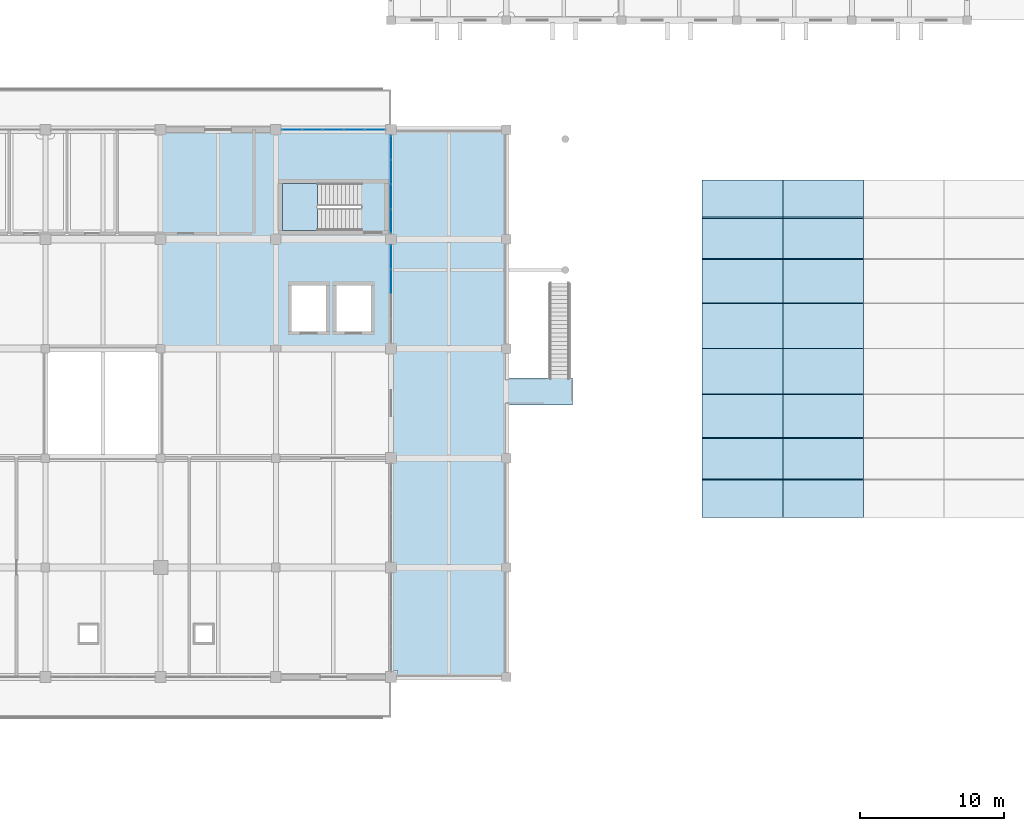
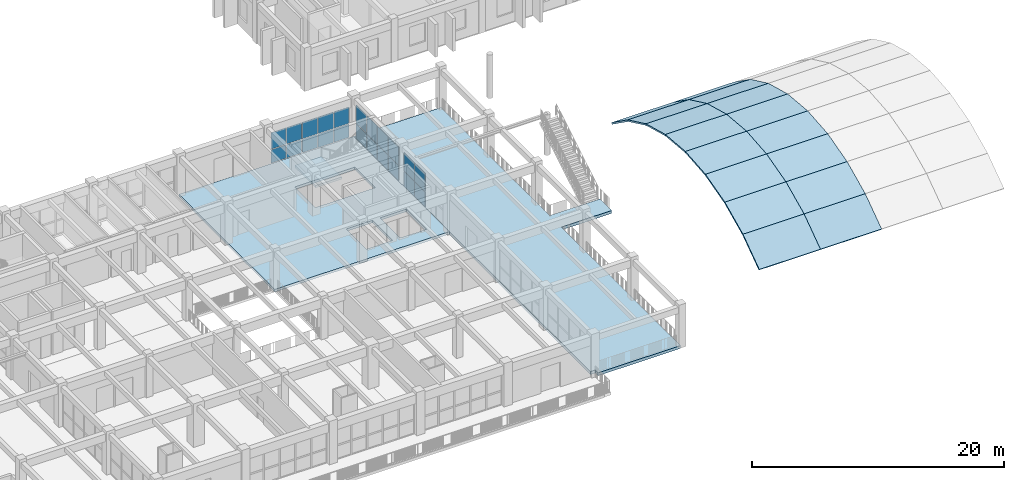
# One storey, part 34 of 63: 22 plates, 19 slabs, 5 elements without a shape of their own.
"""IFC4 building model written with IfcOpenShell, lengths in metres."""

from ifc_helpers import new_model, si_unit, direction, frame, origin, origin_2d, place, context, subcontext, project, spatial, polyline, rectangle, outline, extrude, material, layer, layer_set, type_object, element, aggregate, save


model = new_model("IFC4")

# Units and contexts
model_context = context("Model", 3, precision=1e-05, world=origin(), true_north=direction((0.0, 1.0)))
body_context = subcontext(model_context, "Body", "Model", "MODEL_VIEW")
ifc_project = project(units=[si_unit("LENGTHUNIT", "METRE"), si_unit("AREAUNIT", "SQUARE_METRE"), si_unit("VOLUMEUNIT", "CUBIC_METRE"), si_unit("PLANEANGLEUNIT", "RADIAN"), si_unit("MASSUNIT", "GRAM", prefix="KILO")], contexts=[model_context])

# Site, building, storey
site_placement = place(None, origin())
site = spatial("IfcSite", under=ifc_project, at=site_placement, CompositionType="ELEMENT")
building_placement = place(site_placement, origin())
building = spatial("IfcBuilding", under=site, at=building_placement, Name="Zantavel Square City Hall", CompositionType="ELEMENT")
storey_placement = place(building_placement, frame((0.0, 0.0, 14.699951171875)))
storey = spatial("IfcBuildingStorey", under=building, at=storey_placement, Name="L04", CompositionType="ELEMENT", Elevation=14.699951171875)

# Roof, slabs
ifc_material_1 = material(Name="Steel ASTM A992 Grade 50", Category="steel")
roof_type = type_object("IfcRoofType", Name="Courtyard Winter-Garden Barrel Skylight Roof", PredefinedType="BARREL_ROOF", material=ifc_material_1)
roof_placement = place(storey_placement, origin())
roof = element("IfcRoof", 1, at=roof_placement, inside=storey, type_object=roof_type, Name="East Citizen Courtyard Winter-Garden Skylight", PredefinedType="BARREL_ROOF")
ifc_material_2 = material(Name="Tempered safety glass low-E double glazing", Category="glass")
ifc_layer_1 = layer(ifc_material_2, 0.14990234375, Name="Tempered safety glass low-E double glazing")
ifc_layer_set_1 = layer_set([ifc_layer_1], Name="Tempered safety glass low-E double glazing")
slab_type_1 = type_object("IfcSlabType", Name="Barrel Vault Glazed Roof Facet 150mm", PredefinedType="ROOF", material=ifc_layer_set_1)
slab_1_placement = place(storey_placement, frame((125.60009765625, 41.4755859375, -4.119384765625), z_axis=(0.0, -0.579148154814, 0.815222310033), x_axis=(1.0, 0.0, 0.0)))
slab_1 = element("IfcSlab", 2, at=slab_1_placement, type_object=slab_type_1, Name="East Courtyard Skylight Facet B1-1", PredefinedType="ROOF", context=body_context, shape_type="SweptSolid", body=[
    extrude(outline(polyline([(0.0, 0.0), (5.599853515625, 0.0), (5.599853515625, 3.1852411980677644), (0.0, 3.1852411980677644), (0.0, 0.0)])), origin(), (0.0, 0.0, -1.0), 0.14990234375),
])
slab_2_placement = place(storey_placement, frame((125.60009765625, 44.072265625, -2.274658203125), z_axis=(0.0, -0.427114226835, 0.904197675973), x_axis=(1.0, 0.0, 0.0)))
slab_2 = element("IfcSlab", 3, at=slab_2_placement, type_object=slab_type_1, Name="East Courtyard Skylight Facet B1-2", PredefinedType="ROOF", context=body_context, shape_type="SweptSolid", body=[
    extrude(outline(polyline([(0.0, 0.0), (5.599853515625, 0.0), (5.599853515625, 3.18555463068408), (0.0, 3.18555463068408), (0.0, 0.0)])), origin(), (0.0, 0.0, -1.0), 0.14990234375),
])
slab_3_placement = place(storey_placement, frame((125.60009765625, 46.95263671875, -0.9140625), z_axis=(0.0, -0.261657947041, 0.965160669915), x_axis=(1.0, 0.0, 0.0)))
slab_3 = element("IfcSlab", 4, at=slab_3_placement, type_object=slab_type_1, Name="East Courtyard Skylight Facet B1-3", PredefinedType="ROOF", context=body_context, shape_type="SweptSolid", body=[
    extrude(outline(polyline([(0.0, 0.0), (5.599853515625, 0.0), (5.599853515625, 3.1854415399009826), (0.0, 3.1854415399009826), (0.0, 0.0)])), origin(), (0.0, 0.0, -1.0), 0.14990234375),
])
slab_4_placement = place(storey_placement, frame((125.60009765625, 50.027099609375, -0.08056640625), z_axis=(0.0, -0.088068289541, 0.996114439398), x_axis=(1.0, 0.0, 0.0)))
slab_4 = element("IfcSlab", 5, at=slab_4_placement, type_object=slab_type_1, Name="East Courtyard Skylight Facet B1-4", PredefinedType="ROOF", context=body_context, shape_type="SweptSolid", body=[
    extrude(outline(polyline([(0.0, 0.0), (5.599853515625, 0.0), (5.599853515625, 3.185227958764617), (0.0, 3.185227958764617), (0.0, 0.0)])), origin(), (0.0, 0.0, -1.0), 0.14990234375),
])
slab_5_placement = place(storey_placement, frame((125.60009765625, 53.199951171875, 0.199951171875), z_axis=(0.0, 0.088061566042, 0.996115033812), x_axis=(1.0, 0.0, 0.0)))
slab_5 = element("IfcSlab", 6, at=slab_5_placement, type_object=slab_type_1, Name="East Courtyard Skylight Facet B1-5", PredefinedType="ROOF", context=body_context, shape_type="SweptSolid", body=[
    extrude(outline(polyline([(0.0, 0.0), (5.599853515625, 0.0), (5.599853515625, 3.185471150838986), (0.0, 3.185471150838986), (0.0, 0.0)])), origin(), (0.0, 0.0, -1.0), 0.14990234375),
])
slab_6_placement = place(storey_placement, frame((125.60009765625, 56.373046875, -0.08056640625), z_axis=(0.0, 0.261657947041, 0.965160669915), x_axis=(1.0, 0.0, 0.0)))
slab_6 = element("IfcSlab", 7, at=slab_6_placement, type_object=slab_type_1, Name="East Courtyard Skylight Facet B1-6", PredefinedType="ROOF", context=body_context, shape_type="SweptSolid", body=[
    extrude(outline(polyline([(0.0, 0.0), (5.599853515625, 0.0), (5.599853515625, 3.1854415399009826), (0.0, 3.1854415399009826), (0.0, 0.0)])), origin(), (0.0, 0.0, -1.0), 0.14990234375),
])
slab_7_placement = place(storey_placement, frame((125.60009765625, 59.447509765625, -0.9140625), z_axis=(0.0, 0.427143826661, 0.904183693364), x_axis=(1.0, 0.0, 0.0)))
slab_7 = element("IfcSlab", 8, at=slab_7_placement, type_object=slab_type_1, Name="East Courtyard Skylight Facet B1-7", PredefinedType="ROOF", context=body_context, shape_type="SweptSolid", body=[
    extrude(outline(polyline([(0.0, 0.0), (5.599853515625, 0.0), (5.599853515625, 3.185333881005146), (0.0, 3.185333881005146), (0.0, 0.0)])), origin(), (0.0, 0.0, -1.0), 0.14990234375),
])
slab_8_placement = place(storey_placement, frame((125.60009765625, 62.32763671875, -2.274658203125), z_axis=(0.0, 0.579148154814, 0.815222310033), x_axis=(1.0, 0.0, 0.0)))
slab_8 = element("IfcSlab", 9, at=slab_8_placement, type_object=slab_type_1, Name="East Courtyard Skylight Facet B1-8", PredefinedType="ROOF", context=body_context, shape_type="SweptSolid", body=[
    extrude(outline(polyline([(0.0, 0.0), (5.599853515625, 0.0), (5.599853515625, 3.1852411980677644), (0.0, 3.1852411980677644), (0.0, 0.0)])), origin(), (0.0, 0.0, -1.0), 0.14990234375),
])
slab_9_placement = place(storey_placement, frame((131.199951171875, 41.4755859375, -4.119384765625), z_axis=(0.0, -0.579148154814, 0.815222310033), x_axis=(1.0, 0.0, 0.0)))
slab_9 = element("IfcSlab", 10, at=slab_9_placement, type_object=slab_type_1, Name="East Courtyard Skylight Facet B2-1", PredefinedType="ROOF", context=body_context, shape_type="SweptSolid", body=[
    extrude(outline(polyline([(0.0, 0.0), (5.60009765625, 0.0), (5.60009765625, 3.1852411980677635), (0.0, 3.1852411980677635), (0.0, 0.0)])), origin(), (0.0, 0.0, -1.0), 0.14990234375),
])
slab_10_placement = place(storey_placement, frame((131.199951171875, 44.072265625, -2.274658203125), z_axis=(0.0, -0.427114226835, 0.904197675973), x_axis=(1.0, 0.0, 0.0)))
slab_10 = element("IfcSlab", 11, at=slab_10_placement, type_object=slab_type_1, Name="East Courtyard Skylight Facet B2-2", PredefinedType="ROOF", context=body_context, shape_type="SweptSolid", body=[
    extrude(outline(polyline([(0.0, 0.0), (5.60009765625, 0.0), (5.60009765625, 3.18555463068408), (0.0, 3.18555463068408), (0.0, 0.0)])), origin(), (0.0, 0.0, -1.0), 0.14990234375),
])
slab_11_placement = place(storey_placement, frame((131.199951171875, 46.95263671875, -0.9140625), z_axis=(0.0, -0.261657947041, 0.965160669915), x_axis=(1.0, 0.0, 0.0)))
slab_11 = element("IfcSlab", 12, at=slab_11_placement, type_object=slab_type_1, Name="East Courtyard Skylight Facet B2-3", PredefinedType="ROOF", context=body_context, shape_type="SweptSolid", body=[
    extrude(outline(polyline([(0.0, 0.0), (5.60009765625, 0.0), (5.60009765625, 3.1854415399009826), (0.0, 3.1854415399009826), (0.0, 0.0)])), origin(), (0.0, 0.0, -1.0), 0.14990234375),
])
slab_12_placement = place(storey_placement, frame((131.199951171875, 50.027099609375, -0.08056640625), z_axis=(0.0, -0.088068289541, 0.996114439398), x_axis=(1.0, 0.0, 0.0)))
slab_12 = element("IfcSlab", 13, at=slab_12_placement, type_object=slab_type_1, Name="East Courtyard Skylight Facet B2-4", PredefinedType="ROOF", context=body_context, shape_type="SweptSolid", body=[
    extrude(outline(polyline([(0.0, 0.0), (5.60009765625, 0.0), (5.60009765625, 3.185227958764617), (0.0, 3.185227958764617), (0.0, 0.0)])), origin(), (0.0, 0.0, -1.0), 0.14990234375),
])
slab_13_placement = place(storey_placement, frame((131.199951171875, 53.199951171875, 0.199951171875), z_axis=(0.0, 0.088061566042, 0.996115033812), x_axis=(1.0, 0.0, 0.0)))
slab_13 = element("IfcSlab", 14, at=slab_13_placement, type_object=slab_type_1, Name="East Courtyard Skylight Facet B2-5", PredefinedType="ROOF", context=body_context, shape_type="SweptSolid", body=[
    extrude(outline(polyline([(0.0, 0.0), (5.60009765625, 0.0), (5.60009765625, 3.185471150838986), (0.0, 3.185471150838986), (0.0, 0.0)])), origin(), (0.0, 0.0, -1.0), 0.14990234375),
])
slab_14_placement = place(storey_placement, frame((131.199951171875, 56.373046875, -0.08056640625), z_axis=(0.0, 0.261657947041, 0.965160669915), x_axis=(1.0, 0.0, 0.0)))
slab_14 = element("IfcSlab", 15, at=slab_14_placement, type_object=slab_type_1, Name="East Courtyard Skylight Facet B2-6", PredefinedType="ROOF", context=body_context, shape_type="SweptSolid", body=[
    extrude(outline(polyline([(0.0, 0.0), (5.60009765625, 0.0), (5.60009765625, 3.1854415399009826), (0.0, 3.1854415399009826), (0.0, 0.0)])), origin(), (0.0, 0.0, -1.0), 0.14990234375),
])
slab_15_placement = place(storey_placement, frame((131.199951171875, 59.447509765625, -0.9140625), z_axis=(0.0, 0.427143826661, 0.904183693364), x_axis=(1.0, 0.0, 0.0)))
slab_15 = element("IfcSlab", 16, at=slab_15_placement, type_object=slab_type_1, Name="East Courtyard Skylight Facet B2-7", PredefinedType="ROOF", context=body_context, shape_type="SweptSolid", body=[
    extrude(outline(polyline([(0.0, 0.0), (5.60009765625, 0.0), (5.60009765625, 3.185333881005147), (0.0, 3.185333881005147), (0.0, 0.0)])), origin(), (0.0, 0.0, -1.0), 0.14990234375),
])
slab_16_placement = place(storey_placement, frame((131.199951171875, 62.32763671875, -2.274658203125), z_axis=(0.0, 0.579148154814, 0.815222310033), x_axis=(1.0, 0.0, 0.0)))
slab_16 = element("IfcSlab", 17, at=slab_16_placement, type_object=slab_type_1, Name="East Courtyard Skylight Facet B2-8", PredefinedType="ROOF", context=body_context, shape_type="SweptSolid", body=[
    extrude(outline(polyline([(0.0, 0.0), (5.60009765625, 0.0), (5.60009765625, 3.1852411980677635), (0.0, 3.1852411980677635), (0.0, 0.0)])), origin(), (0.0, 0.0, -1.0), 0.14990234375),
])
aggregate(roof, [slab_1, slab_2, slab_3, slab_4, slab_5, slab_6, slab_7, slab_8, slab_9, slab_10, slab_11, slab_12, slab_13, slab_14, slab_15, slab_16])

# Stair, slab
ifc_material_3 = material(Name="Concrete C35/45", Category="concrete")
stair_type = type_object("IfcStairType", Name="Enclosed Core Dogleg Stair L04 H4200", PredefinedType="HALF_TURN_STAIR", material=ifc_material_3)
stair_placement = place(storey_placement, origin())
stair = element("IfcStair", 18, at=stair_placement, inside=storey, type_object=stair_type, Name="L04 Exit Stair 6 Central East Core", PredefinedType="HALF_TURN_STAIR")
ifc_layer_2 = layer(ifc_material_3, 0.2099609375, Name="Concrete C35/45")
ifc_layer_set_2 = layer_set([ifc_layer_2], Name="Concrete C35/45")
slab_type_2 = type_object("IfcSlabType", Name="Core Stair Half-Landing Slab C35/45", PredefinedType="LANDING", material=ifc_layer_set_2)
slab_17_placement = place(storey_placement, frame((0.0, 0.0, 1.900146484375)))
slab_17 = element("IfcSlab", 19, at=slab_17_placement, type_object=slab_type_2, Name="ST6 landing 1", PredefinedType="LANDING", context=body_context, shape_type="SweptSolid", body=[
    extrude(outline(polyline([(98.889892578125, 64.669921875), (96.469970703125, 64.669921875), (96.469970703125, 61.39990234375), (98.889892578125, 61.39990234375), (98.889892578125, 64.669921875)])), origin(), (0.0, 0.0, 1.0), 0.199951171875),
])
aggregate(stair, [slab_17])

# Curtain wall, plates
ifc_material_4 = material(Name="Anodised aluminium 6063-T6", Category="aluminium")
curtain_wall_type_1 = type_object("IfcCurtainWallType", Name="Curtain Wall TRV1 7250x3070", PredefinedType="USERDEFINED", material=ifc_material_4)
curtain_wall_1_placement = place(storey_placement, origin())
curtain_wall_1 = element("IfcCurtainWall", 20, at=curtain_wall_1_placement, inside=storey, type_object=curtain_wall_type_1, Name="L04 Glazed Curtain Wall CW-L04-110", ObjectType="GLAZED CURTAIN WALL", PredefinedType="USERDEFINED")
ifc_layer_3 = layer(ifc_material_2, 0.028076171875, Name="Tempered safety glass low-E double glazing")
ifc_layer_set_3 = layer_set([ifc_layer_3], Name="Tempered safety glass low-E double glazing")
plate_type_1 = type_object("IfcPlateType", Name="Low-E Curtain Glazing Panel 1450x1535x28", PredefinedType="CURTAIN_PANEL", material=ifc_layer_set_3)
plate_1_placement = place(storey_placement, frame((97.114990234375, 68.39990234375, 0.06005859375), z_axis=(0.0, 0.0, 1.0), x_axis=(1.0, 0.0, 0.0)))
plate_1 = element("IfcPlate", 21, at=plate_1_placement, type_object=plate_type_1, Name="CW-110 panel 1.1", PredefinedType="CURTAIN_PANEL", context=body_context, shape_type="SweptSolid", body=[
    extrude(rectangle(XDim=1.360107421875, YDim=0.028076171875, at=origin_2d()), origin(), (0.0, 0.0, 1.0), 1.291015625),
])
plate_2_placement = place(storey_placement, frame((97.114990234375, 68.39990234375, 1.410888671875), z_axis=(0.0, 0.0, 1.0), x_axis=(1.0, 0.0, 0.0)))
plate_2 = element("IfcPlate", 22, at=plate_2_placement, type_object=plate_type_1, Name="CW-110 panel 1.2", PredefinedType="CURTAIN_PANEL", context=body_context, shape_type="SweptSolid", body=[
    extrude(rectangle(XDim=1.360107421875, YDim=0.028076171875, at=origin_2d()), origin(), (0.0, 0.0, 1.0), 1.59912109375),
])
plate_3_placement = place(storey_placement, frame((98.550048828125, 68.39990234375, 0.06005859375), z_axis=(0.0, 0.0, 1.0), x_axis=(1.0, 0.0, 0.0)))
plate_3 = element("IfcPlate", 23, at=plate_3_placement, type_object=plate_type_1, Name="CW-110 panel 2.1", PredefinedType="CURTAIN_PANEL", context=body_context, shape_type="SweptSolid", body=[
    extrude(rectangle(XDim=1.389892578125, YDim=0.028076171875, at=origin_2d()), origin(), (0.0, 0.0, 1.0), 1.291015625),
])
plate_4_placement = place(storey_placement, frame((98.550048828125, 68.39990234375, 1.410888671875), z_axis=(0.0, 0.0, 1.0), x_axis=(1.0, 0.0, 0.0)))
plate_4 = element("IfcPlate", 24, at=plate_4_placement, type_object=plate_type_1, Name="CW-110 panel 2.2", PredefinedType="CURTAIN_PANEL", context=body_context, shape_type="SweptSolid", body=[
    extrude(rectangle(XDim=1.389892578125, YDim=0.028076171875, at=origin_2d()), origin(), (0.0, 0.0, 1.0), 1.59912109375),
])
plate_5_placement = place(storey_placement, frame((100.0, 68.39990234375, 0.06005859375), z_axis=(0.0, 0.0, 1.0), x_axis=(1.0, 0.0, 0.0)))
plate_5 = element("IfcPlate", 25, at=plate_5_placement, type_object=plate_type_1, Name="CW-110 panel 3.1", PredefinedType="CURTAIN_PANEL", context=body_context, shape_type="SweptSolid", body=[
    extrude(rectangle(XDim=1.389892578125, YDim=0.028076171875, at=origin_2d()), origin(), (0.0, 0.0, 1.0), 1.291015625),
])
plate_6_placement = place(storey_placement, frame((100.0, 68.39990234375, 1.410888671875), z_axis=(0.0, 0.0, 1.0), x_axis=(1.0, 0.0, 0.0)))
plate_6 = element("IfcPlate", 26, at=plate_6_placement, type_object=plate_type_1, Name="CW-110 panel 3.2", PredefinedType="CURTAIN_PANEL", context=body_context, shape_type="SweptSolid", body=[
    extrude(rectangle(XDim=1.389892578125, YDim=0.028076171875, at=origin_2d()), origin(), (0.0, 0.0, 1.0), 1.59912109375),
])
plate_7_placement = place(storey_placement, frame((101.449951171875, 68.39990234375, 0.06005859375), z_axis=(0.0, 0.0, 1.0), x_axis=(1.0, 0.0, 0.0)))
plate_7 = element("IfcPlate", 27, at=plate_7_placement, type_object=plate_type_1, Name="CW-110 panel 4.1", PredefinedType="CURTAIN_PANEL", context=body_context, shape_type="SweptSolid", body=[
    extrude(rectangle(XDim=1.389892578125, YDim=0.028076171875, at=origin_2d()), origin(), (0.0, 0.0, 1.0), 1.291015625),
])
plate_8_placement = place(storey_placement, frame((101.449951171875, 68.39990234375, 1.410888671875), z_axis=(0.0, 0.0, 1.0), x_axis=(1.0, 0.0, 0.0)))
plate_8 = element("IfcPlate", 28, at=plate_8_placement, type_object=plate_type_1, Name="CW-110 panel 4.2", PredefinedType="CURTAIN_PANEL", context=body_context, shape_type="SweptSolid", body=[
    extrude(rectangle(XDim=1.389892578125, YDim=0.028076171875, at=origin_2d()), origin(), (0.0, 0.0, 1.0), 1.59912109375),
])
plate_9_placement = place(storey_placement, frame((102.885009765625, 68.39990234375, 0.06005859375), z_axis=(0.0, 0.0, 1.0), x_axis=(1.0, 0.0, 0.0)))
plate_9 = element("IfcPlate", 29, at=plate_9_placement, type_object=plate_type_1, Name="CW-110 panel 5.1", PredefinedType="CURTAIN_PANEL", context=body_context, shape_type="SweptSolid", body=[
    extrude(rectangle(XDim=1.360107421875, YDim=0.028076171875, at=origin_2d()), origin(), (0.0, 0.0, 1.0), 1.291015625),
])
plate_10_placement = place(storey_placement, frame((102.885009765625, 68.39990234375, 1.410888671875), z_axis=(0.0, 0.0, 1.0), x_axis=(1.0, 0.0, 0.0)))
plate_10 = element("IfcPlate", 30, at=plate_10_placement, type_object=plate_type_1, Name="CW-110 panel 5.2", PredefinedType="CURTAIN_PANEL", context=body_context, shape_type="SweptSolid", body=[
    extrude(rectangle(XDim=1.360107421875, YDim=0.028076171875, at=origin_2d()), origin(), (0.0, 0.0, 1.0), 1.59912109375),
])
aggregate(curtain_wall_1, [plate_1, plate_2, plate_3, plate_4, plate_5, plate_6, plate_7, plate_8, plate_9, plate_10])

curtain_wall_type_2 = type_object("IfcCurtainWallType", Name="Curtain Wall TRV1 6850x3370", PredefinedType="USERDEFINED", material=ifc_material_4)
curtain_wall_2_placement = place(storey_placement, origin())
curtain_wall_2 = element("IfcCurtainWall", 31, at=curtain_wall_2_placement, inside=storey, type_object=curtain_wall_type_2, Name="L04 Glazed Curtain Wall CW-L04-112", ObjectType="GLAZED CURTAIN WALL", PredefinedType="USERDEFINED")
ifc_layer_4 = layer(ifc_material_2, 0.028076171875, Name="Tempered safety glass low-E double glazing")
ifc_layer_set_4 = layer_set([ifc_layer_4], Name="Tempered safety glass low-E double glazing")
plate_type_2 = type_object("IfcPlateType", Name="Low-E Curtain Glazing Panel 1712x1685x28", PredefinedType="CURTAIN_PANEL", material=ifc_layer_set_4)
plate_11_placement = place(storey_placement, frame((104.0, 59.5537109375, 0.06005859375), z_axis=(0.0, 0.0, 1.0), x_axis=(0.0, -1.0, 0.0)))
plate_11 = element("IfcPlate", 32, at=plate_11_placement, type_object=plate_type_2, Name="CW-112 panel 1.1", PredefinedType="CURTAIN_PANEL", context=body_context, shape_type="SweptSolid", body=[
    extrude(rectangle(XDim=1.62255859375, YDim=0.028076171875, at=origin_2d()), origin(), (0.0, 0.0, 1.0), 1.427001953125),
])
plate_12_placement = place(storey_placement, frame((104.0, 59.5537109375, 1.546875), z_axis=(0.0, 0.0, 1.0), x_axis=(0.0, -1.0, 0.0)))
plate_12 = element("IfcPlate", 33, at=plate_12_placement, type_object=plate_type_2, Name="CW-112 panel 1.2", PredefinedType="CURTAIN_PANEL", context=body_context, shape_type="SweptSolid", body=[
    extrude(rectangle(XDim=1.62255859375, YDim=0.028076171875, at=origin_2d()), origin(), (0.0, 0.0, 1.0), 1.762939453125),
])
plate_13_placement = place(storey_placement, frame((104.0, 57.856201171875, 0.06005859375), z_axis=(0.0, 0.0, 1.0), x_axis=(0.0, -1.0, 0.0)))
plate_13 = element("IfcPlate", 34, at=plate_13_placement, type_object=plate_type_2, Name="CW-112 panel 2.1", PredefinedType="CURTAIN_PANEL", context=body_context, shape_type="SweptSolid", body=[
    extrude(rectangle(XDim=1.652587890625, YDim=0.028076171875, at=origin_2d()), origin(), (0.0, 0.0, 1.0), 1.427001953125),
])
plate_14_placement = place(storey_placement, frame((104.0, 57.856201171875, 1.546875), z_axis=(0.0, 0.0, 1.0), x_axis=(0.0, -1.0, 0.0)))
plate_14 = element("IfcPlate", 35, at=plate_14_placement, type_object=plate_type_2, Name="CW-112 panel 2.2", PredefinedType="CURTAIN_PANEL", context=body_context, shape_type="SweptSolid", body=[
    extrude(rectangle(XDim=1.652587890625, YDim=0.028076171875, at=origin_2d()), origin(), (0.0, 0.0, 1.0), 1.762939453125),
])
aggregate(curtain_wall_2, [plate_11, plate_12, plate_13, plate_14])

curtain_wall_3_placement = place(storey_placement, origin())
curtain_wall_3 = element("IfcCurtainWall", 36, at=curtain_wall_3_placement, inside=storey, type_object=curtain_wall_type_2, Name="L04 Glazed Curtain Wall CW-L04-111", ObjectType="GLAZED CURTAIN WALL", PredefinedType="USERDEFINED")
ifc_layer_5 = layer(ifc_material_2, 0.028076171875, Name="Tempered safety glass low-E double glazing")
ifc_layer_set_5 = layer_set([ifc_layer_5], Name="Tempered safety glass low-E double glazing")
plate_type_3 = type_object("IfcPlateType", Name="Low-E Curtain Glazing Panel 1713x1685x28", PredefinedType="CURTAIN_PANEL", material=ifc_layer_set_5)
plate_15_placement = place(storey_placement, frame((104.0, 67.15380859375, 0.06005859375), z_axis=(0.0, 0.0, 1.0), x_axis=(0.0, -1.0, 0.0)))
plate_15 = element("IfcPlate", 37, at=plate_15_placement, type_object=plate_type_3, Name="CW-111 panel 1.1", PredefinedType="CURTAIN_PANEL", context=body_context, shape_type="SweptSolid", body=[
    extrude(rectangle(XDim=1.62255859375, YDim=0.028076171875, at=origin_2d()), origin(), (0.0, 0.0, 1.0), 1.427001953125),
])
plate_16_placement = place(storey_placement, frame((104.0, 67.15380859375, 1.546875), z_axis=(0.0, 0.0, 1.0), x_axis=(0.0, -1.0, 0.0)))
plate_16 = element("IfcPlate", 38, at=plate_16_placement, type_object=plate_type_3, Name="CW-111 panel 1.2", PredefinedType="CURTAIN_PANEL", context=body_context, shape_type="SweptSolid", body=[
    extrude(rectangle(XDim=1.62255859375, YDim=0.028076171875, at=origin_2d()), origin(), (0.0, 0.0, 1.0), 1.762939453125),
])
plate_17_placement = place(storey_placement, frame((104.0, 65.456298828125, 0.06005859375), z_axis=(0.0, 0.0, 1.0), x_axis=(0.0, -1.0, 0.0)))
plate_17 = element("IfcPlate", 39, at=plate_17_placement, type_object=plate_type_3, Name="CW-111 panel 2.1", PredefinedType="CURTAIN_PANEL", context=body_context, shape_type="SweptSolid", body=[
    extrude(rectangle(XDim=1.652587890625, YDim=0.028076171875, at=origin_2d()), origin(), (0.0, 0.0, 1.0), 1.427001953125),
])
plate_18_placement = place(storey_placement, frame((104.0, 65.456298828125, 1.546875), z_axis=(0.0, 0.0, 1.0), x_axis=(0.0, -1.0, 0.0)))
plate_18 = element("IfcPlate", 40, at=plate_18_placement, type_object=plate_type_3, Name="CW-111 panel 2.2", PredefinedType="CURTAIN_PANEL", context=body_context, shape_type="SweptSolid", body=[
    extrude(rectangle(XDim=1.652587890625, YDim=0.028076171875, at=origin_2d()), origin(), (0.0, 0.0, 1.0), 1.762939453125),
])
plate_19_placement = place(storey_placement, frame((104.0, 63.74365234375, 0.06005859375), z_axis=(0.0, 0.0, 1.0), x_axis=(0.0, -1.0, 0.0)))
plate_19 = element("IfcPlate", 41, at=plate_19_placement, type_object=plate_type_3, Name="CW-111 panel 3.1", PredefinedType="CURTAIN_PANEL", context=body_context, shape_type="SweptSolid", body=[
    extrude(rectangle(XDim=1.652587890625, YDim=0.028076171875, at=origin_2d()), origin(), (0.0, 0.0, 1.0), 1.427001953125),
])
plate_20_placement = place(storey_placement, frame((104.0, 63.74365234375, 1.546875), z_axis=(0.0, 0.0, 1.0), x_axis=(0.0, -1.0, 0.0)))
plate_20 = element("IfcPlate", 42, at=plate_20_placement, type_object=plate_type_3, Name="CW-111 panel 3.2", PredefinedType="CURTAIN_PANEL", context=body_context, shape_type="SweptSolid", body=[
    extrude(rectangle(XDim=1.652587890625, YDim=0.028076171875, at=origin_2d()), origin(), (0.0, 0.0, 1.0), 1.762939453125),
])
plate_21_placement = place(storey_placement, frame((104.0, 62.046142578125, 0.06005859375), z_axis=(0.0, 0.0, 1.0), x_axis=(0.0, -1.0, 0.0)))
plate_21 = element("IfcPlate", 43, at=plate_21_placement, type_object=plate_type_3, Name="CW-111 panel 4.1", PredefinedType="CURTAIN_PANEL", context=body_context, shape_type="SweptSolid", body=[
    extrude(rectangle(XDim=1.62255859375, YDim=0.028076171875, at=origin_2d()), origin(), (0.0, 0.0, 1.0), 1.427001953125),
])
plate_22_placement = place(storey_placement, frame((104.0, 62.046142578125, 1.546875), z_axis=(0.0, 0.0, 1.0), x_axis=(0.0, -1.0, 0.0)))
plate_22 = element("IfcPlate", 44, at=plate_22_placement, type_object=plate_type_3, Name="CW-111 panel 4.2", PredefinedType="CURTAIN_PANEL", context=body_context, shape_type="SweptSolid", body=[
    extrude(rectangle(XDim=1.62255859375, YDim=0.028076171875, at=origin_2d()), origin(), (0.0, 0.0, 1.0), 1.762939453125),
])
aggregate(curtain_wall_3, [plate_15, plate_16, plate_17, plate_18, plate_19, plate_20, plate_21, plate_22])

# Slabs
ifc_layer_6 = layer(ifc_material_3, 0.239990234375, Name="Concrete C35/45")
ifc_layer_set_6 = layer_set([ifc_layer_6], Name="Concrete C35/45")
slab_type_3 = type_object("IfcSlabType", Name="Standard Office Floor Slab 240mm C35/45", PredefinedType="FLOOR", material=ifc_layer_set_6)
slab_18_placement = place(storey_placement, frame((0.0, 0.0, -0.239990234375)))
element("IfcSlab", 45, at=slab_18_placement, inside=storey, type_object=slab_type_3, Name="L04 Floor Slab SLB-L04-V1-09", PredefinedType="FLOOR", context=body_context, shape_type="SweptSolid", body=[
    extrude(outline(polyline([(88.0, 68.39990234375), (104.0, 68.39990234375), (104.0, 53.199951171875), (88.0, 53.199951171875), (88.0, 53.199951171875), (88.0, 68.39990234375)]), holes=[polyline([(96.469970703125, 61.39990234375), (101.949951171875, 61.39990234375), (101.949951171875, 64.669921875), (96.469970703125, 64.669921875), (96.469970703125, 61.39990234375)]), polyline([(97.10009765625, 57.60009765625), (97.10009765625, 54.39990234375), (99.5, 54.39990234375), (99.5, 57.60009765625), (97.10009765625, 57.60009765625)]), polyline([(102.60009765625, 57.60009765625), (100.199951171875, 57.60009765625), (100.199951171875, 54.39990234375), (102.60009765625, 54.39990234375), (102.60009765625, 57.60009765625)])]), origin(), (0.0, 0.0, 1.0), 0.239990234375),
])
ifc_material_5 = material(Name="Precast concrete C40/50", Category="concrete")
ifc_layer_7 = layer(ifc_material_5, 0.280029296875, Name="Precast concrete C40/50")
ifc_layer_set_7 = layer_set([ifc_layer_7], Name="Precast concrete C40/50")
slab_type_4 = type_object("IfcSlabType", Name="White Cantera Tray Slab 280mm C40/50", PredefinedType="FLOOR", material=ifc_layer_set_7)
slab_19_placement = place(storey_placement, frame((0.0, 0.0, -0.280029296875)))
element("IfcSlab", 46, at=slab_19_placement, inside=storey, type_object=slab_type_4, Name="L04 Outdoor Terrace Slab SLB-L04-TERR-E", PredefinedType="FLOOR", context=body_context, shape_type="SweptSolid", body=[
    extrude(outline(polyline([(104.0, 45.60009765625), (104.0, 53.199951171875), (104.0, 68.39990234375), (112.0, 68.39990234375), (112.0, 51.14990234375), (116.60009765625, 51.14990234375), (116.60009765625, 49.300048828125), (112.0, 49.300048828125), (112.0, 30.39990234375), (104.449951171875, 30.39990234375), (104.449951171875, 30.85009765625), (104.0, 30.85009765625), (104.0, 45.60009765625)])), origin(), (0.0, 0.0, 1.0), 0.280029296875),
])

save(model, "model.ifc")
